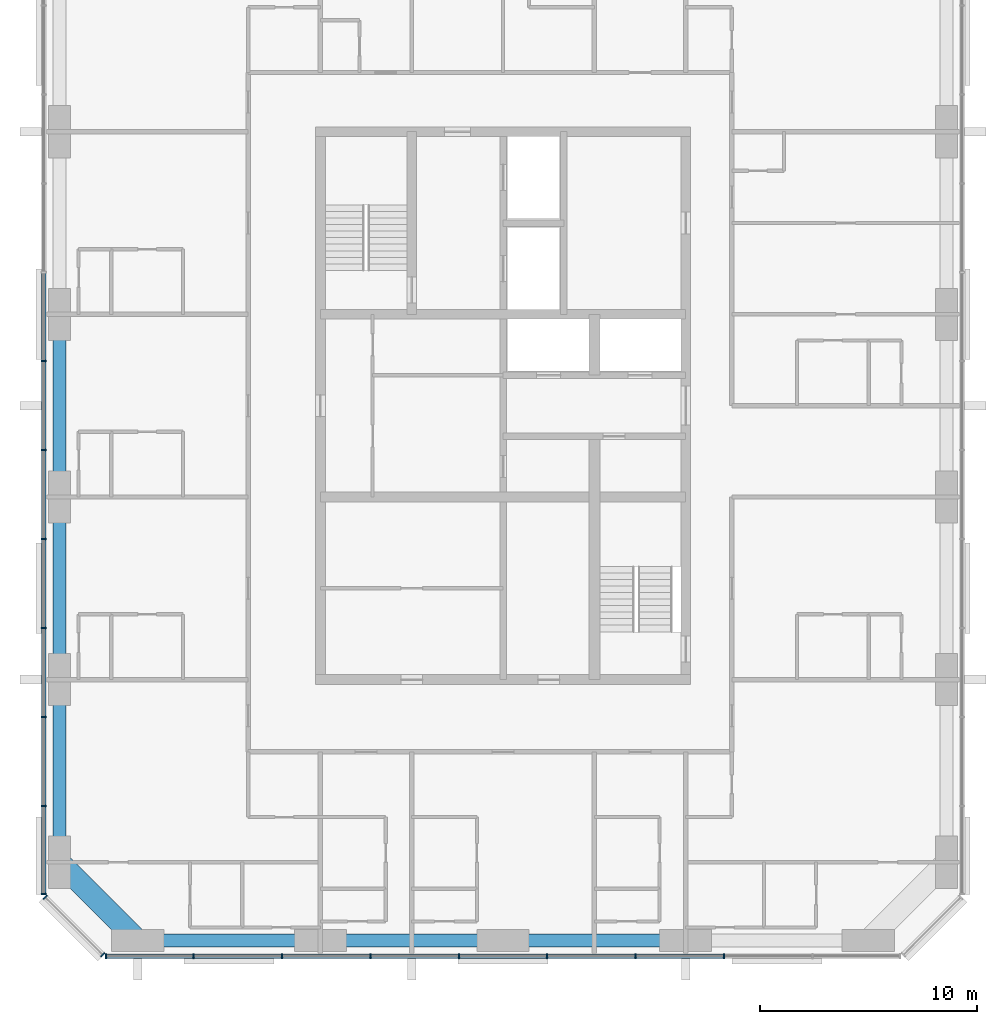
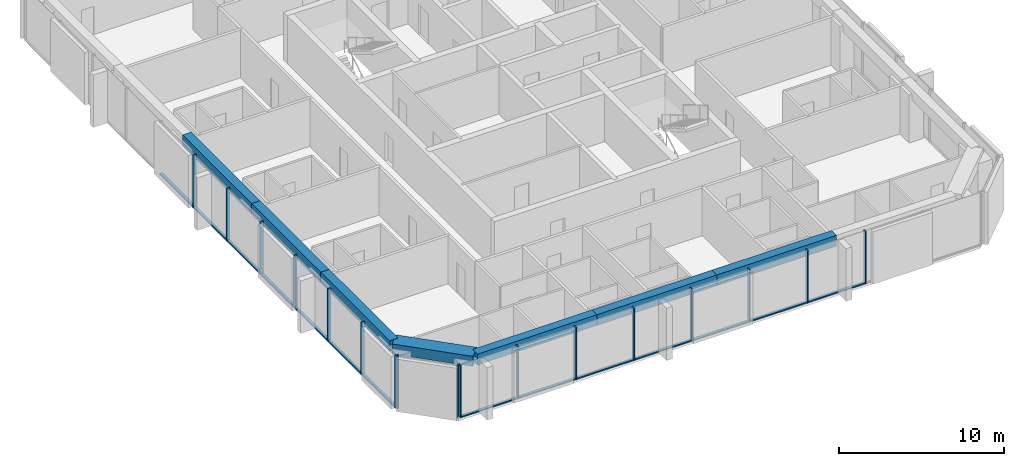
# One storey, part 2 of 12: 31 members, 7 beams, 3 elements without a shape of their own.
"""IFC4 building model written with IfcOpenShell, lengths in metres."""

from ifc_helpers import new_model, si_unit, direction, frame, origin, origin_2d, place, context, subcontext, project, spatial, rectangle, extrude, material, material_profile, profile_set, type_object, element, aggregate, save


model = new_model("IFC4")

# Units and contexts
model_context = context("Model", 3, precision=1e-05, world=origin(), true_north=direction((0.0, 1.0)))
body_context = subcontext(model_context, "Body", "Model", "MODEL_VIEW")
ifc_project = project(units=[si_unit("LENGTHUNIT", "METRE"), si_unit("AREAUNIT", "SQUARE_METRE"), si_unit("VOLUMEUNIT", "CUBIC_METRE"), si_unit("PLANEANGLEUNIT", "RADIAN"), si_unit("MASSUNIT", "GRAM", prefix="KILO")], contexts=[model_context])

# Site, building, storey
site_placement = place(None, origin())
site = spatial("IfcSite", under=ifc_project, at=site_placement, CompositionType="ELEMENT")
building_placement = place(site_placement, origin())
building = spatial("IfcBuilding", under=site, at=building_placement, Name="Dunama Terrace Hotel", CompositionType="ELEMENT")
storey_placement = place(building_placement, frame((0.0, 0.0, 245.10009765625)))
storey = spatial("IfcBuildingStorey", under=building, at=storey_placement, Name="L63", CompositionType="ELEMENT", Elevation=245.10009765625)

# Curtain wall, members
ifc_material_1 = material(Name="Aluminium curtain wall system", Category="aluminium")
curtain_wall_type = type_object("IfcCurtainWallType", Name="Unitised fritted glass wall CW-D", PredefinedType="NOTDEFINED", material=ifc_material_1)
curtain_wall_1_placement = place(storey_placement, origin())
curtain_wall_1 = element("IfcCurtainWall", 1, at=curtain_wall_1_placement, inside=storey, type_object=curtain_wall_type, Name="Unitised fritted glass wall CW-D L63", PredefinedType="NOTDEFINED")
ifc_material_2 = material(Name="Aluminium mullion", Category="aluminium")
ifc_material_profile_1 = material_profile(ifc_material_2, rectangle(XDim=0.070068359375, YDim=0.239990234375, at=origin_2d()), Name="CWD MULLION 70X240")
ifc_profile_set_1 = profile_set([ifc_material_profile_1], Name="Aluminium mullion")
member_type_1 = type_object("IfcMemberType", Name="CWD mullion 70x240", PredefinedType="MULLION", material=ifc_profile_set_1)
member_1_placement = place(storey_placement, frame((15.3349609375, 4.080078125, 0.0), z_axis=(0.0, 0.0, 1.0), x_axis=(1.0, 0.0, 0.0)))
member_1 = element("IfcMember", 2, at=member_1_placement, type_object=member_type_1, Name="CWD mullion", PredefinedType="MULLION", context=body_context, shape_type="SweptSolid", body=[
    extrude(rectangle(XDim=0.070068359375, YDim=0.239990234375, at=origin_2d()), origin(), (0.0, 0.0, 1.0), 3.89990234375),
])
member_2_placement = place(storey_placement, frame((19.366943359375, 4.080078125, 0.0), z_axis=(0.0, 0.0, 1.0), x_axis=(1.0, 0.0, 0.0)))
member_2 = element("IfcMember", 3, at=member_2_placement, type_object=member_type_1, Name="CWD mullion", PredefinedType="MULLION", context=body_context, shape_type="SweptSolid", body=[
    extrude(rectangle(XDim=0.070068359375, YDim=0.239990234375, at=origin_2d()), origin(), (0.0, 0.0, 1.0), 3.89990234375),
])
member_3_placement = place(storey_placement, frame((23.43310546875, 4.080078125, 0.0), z_axis=(0.0, 0.0, 1.0), x_axis=(1.0, 0.0, 0.0)))
member_3 = element("IfcMember", 4, at=member_3_placement, type_object=member_type_1, Name="CWD mullion", PredefinedType="MULLION", context=body_context, shape_type="SweptSolid", body=[
    extrude(rectangle(XDim=0.070068359375, YDim=0.239990234375, at=origin_2d()), origin(), (0.0, 0.0, 1.0), 3.89990234375),
])
member_4_placement = place(storey_placement, frame((27.5, 4.080078125, 0.0), z_axis=(0.0, 0.0, 1.0), x_axis=(1.0, 0.0, 0.0)))
member_4 = element("IfcMember", 5, at=member_4_placement, type_object=member_type_1, Name="CWD mullion", PredefinedType="MULLION", context=body_context, shape_type="SweptSolid", body=[
    extrude(rectangle(XDim=0.070068359375, YDim=0.239990234375, at=origin_2d()), origin(), (0.0, 0.0, 1.0), 3.89990234375),
])
member_5_placement = place(storey_placement, frame((31.56689453125, 4.080078125, 0.0), z_axis=(0.0, 0.0, 1.0), x_axis=(1.0, 0.0, 0.0)))
member_5 = element("IfcMember", 6, at=member_5_placement, type_object=member_type_1, Name="CWD mullion", PredefinedType="MULLION", context=body_context, shape_type="SweptSolid", body=[
    extrude(rectangle(XDim=0.070068359375, YDim=0.239990234375, at=origin_2d()), origin(), (0.0, 0.0, 1.0), 3.89990234375),
])
member_6_placement = place(storey_placement, frame((35.633056640625, 4.080078125, 0.0), z_axis=(0.0, 0.0, 1.0), x_axis=(1.0, 0.0, 0.0)))
member_6 = element("IfcMember", 7, at=member_6_placement, type_object=member_type_1, Name="CWD mullion", PredefinedType="MULLION", context=body_context, shape_type="SweptSolid", body=[
    extrude(rectangle(XDim=0.070068359375, YDim=0.239990234375, at=origin_2d()), origin(), (0.0, 0.0, 1.0), 3.89990234375),
])
member_7_placement = place(storey_placement, frame((39.699951171875, 4.080078125, 0.0), z_axis=(0.0, 0.0, 1.0), x_axis=(1.0, 0.0, 0.0)))
member_7 = element("IfcMember", 8, at=member_7_placement, type_object=member_type_1, Name="CWD mullion", PredefinedType="MULLION", context=body_context, shape_type="SweptSolid", body=[
    extrude(rectangle(XDim=0.070068359375, YDim=0.239990234375, at=origin_2d()), origin(), (0.0, 0.0, 1.0), 3.89990234375),
])
member_8_placement = place(storey_placement, frame((43.76708984375, 4.080078125, 0.0), z_axis=(0.0, 0.0, 1.0), x_axis=(1.0, 0.0, 0.0)))
member_8 = element("IfcMember", 9, at=member_8_placement, type_object=member_type_1, Name="CWD mullion", PredefinedType="MULLION", context=body_context, shape_type="SweptSolid", body=[
    extrude(rectangle(XDim=0.070068359375, YDim=0.239990234375, at=origin_2d()), origin(), (0.0, 0.0, 1.0), 3.89990234375),
])

curtain_wall_2_placement = place(storey_placement, origin())
curtain_wall_2 = element("IfcCurtainWall", 10, at=curtain_wall_2_placement, inside=storey, type_object=curtain_wall_type, Name="Unitised fritted glass wall CW-D L63", PredefinedType="NOTDEFINED")
member_9_placement = place(storey_placement, frame((12.47998046875, 31.445068359375, 0.0), z_axis=(0.0, 0.0, 1.0), x_axis=(0.0, -1.0, 0.0)))
member_9 = element("IfcMember", 11, at=member_9_placement, type_object=member_type_1, Name="CWD mullion", PredefinedType="MULLION", context=body_context, shape_type="SweptSolid", body=[
    extrude(rectangle(XDim=0.070068359375, YDim=0.239990234375, at=origin_2d()), origin(), (0.0, 0.0, 1.0), 3.89990234375),
])
member_10_placement = place(storey_placement, frame((12.47998046875, 27.35498046875, 0.0), z_axis=(0.0, 0.0, 1.0), x_axis=(0.0, -1.0, 0.0)))
member_10 = element("IfcMember", 12, at=member_10_placement, type_object=member_type_1, Name="CWD mullion", PredefinedType="MULLION", context=body_context, shape_type="SweptSolid", body=[
    extrude(rectangle(XDim=0.070068359375, YDim=0.239990234375, at=origin_2d()), origin(), (0.0, 0.0, 1.0), 3.89990234375),
])
member_11_placement = place(storey_placement, frame((12.47998046875, 23.263916015625, 0.0), z_axis=(0.0, 0.0, 1.0), x_axis=(0.0, -1.0, 0.0)))
member_11 = element("IfcMember", 13, at=member_11_placement, type_object=member_type_1, Name="CWD mullion", PredefinedType="MULLION", context=body_context, shape_type="SweptSolid", body=[
    extrude(rectangle(XDim=0.070068359375, YDim=0.239990234375, at=origin_2d()), origin(), (0.0, 0.0, 1.0), 3.89990234375),
])
member_12_placement = place(storey_placement, frame((12.47998046875, 19.173095703125, 0.0), z_axis=(0.0, 0.0, 1.0), x_axis=(0.0, -1.0, 0.0)))
member_12 = element("IfcMember", 14, at=member_12_placement, type_object=member_type_1, Name="CWD mullion", PredefinedType="MULLION", context=body_context, shape_type="SweptSolid", body=[
    extrude(rectangle(XDim=0.070068359375, YDim=0.239990234375, at=origin_2d()), origin(), (0.0, 0.0, 1.0), 3.89990234375),
])
member_13_placement = place(storey_placement, frame((12.47998046875, 15.08203125, 0.0), z_axis=(0.0, 0.0, 1.0), x_axis=(0.0, -1.0, 0.0)))
member_13 = element("IfcMember", 15, at=member_13_placement, type_object=member_type_1, Name="CWD mullion", PredefinedType="MULLION", context=body_context, shape_type="SweptSolid", body=[
    extrude(rectangle(XDim=0.070068359375, YDim=0.239990234375, at=origin_2d()), origin(), (0.0, 0.0, 1.0), 3.89990234375),
])
member_14_placement = place(storey_placement, frame((12.47998046875, 10.990966796875, 0.0), z_axis=(0.0, 0.0, 1.0), x_axis=(0.0, -1.0, 0.0)))
member_14 = element("IfcMember", 16, at=member_14_placement, type_object=member_type_1, Name="CWD mullion", PredefinedType="MULLION", context=body_context, shape_type="SweptSolid", body=[
    extrude(rectangle(XDim=0.070068359375, YDim=0.239990234375, at=origin_2d()), origin(), (0.0, 0.0, 1.0), 3.89990234375),
])
member_15_placement = place(storey_placement, frame((12.47998046875, 6.93505859375, 0.0), z_axis=(0.0, 0.0, 1.0), x_axis=(0.0, -1.0, 0.0)))
member_15 = element("IfcMember", 17, at=member_15_placement, type_object=member_type_1, Name="CWD mullion", PredefinedType="MULLION", context=body_context, shape_type="SweptSolid", body=[
    extrude(rectangle(XDim=0.070068359375, YDim=0.239990234375, at=origin_2d()), origin(), (0.0, 0.0, 1.0), 3.89990234375),
])

curtain_wall_3_placement = place(storey_placement, origin())
curtain_wall_3 = element("IfcCurtainWall", 18, at=curtain_wall_3_placement, inside=storey, type_object=curtain_wall_type, Name="Unitised fritted glass wall CW-D L63", PredefinedType="NOTDEFINED")
member_16_placement = place(storey_placement, frame((12.5400390625, 6.7900390625, 0.0), z_axis=(0.0, 0.0, 1.0), x_axis=(0.707106781187, -0.707106781187, 0.0)))
member_16 = element("IfcMember", 19, at=member_16_placement, type_object=member_type_1, Name="CWD mullion", PredefinedType="MULLION", context=body_context, shape_type="SweptSolid", body=[
    extrude(rectangle(XDim=0.070068359375, YDim=0.239990234375, at=origin_2d()), origin(), (0.0, 0.0, 1.0), 3.89990234375),
])
member_17_placement = place(storey_placement, frame((15.18994140625, 4.139892578125, 0.0), z_axis=(0.0, 0.0, 1.0), x_axis=(0.707106781187, -0.707106781187, 0.0)))
member_17 = element("IfcMember", 20, at=member_17_placement, type_object=member_type_1, Name="CWD mullion", PredefinedType="MULLION", context=body_context, shape_type="SweptSolid", body=[
    extrude(rectangle(XDim=0.070068359375, YDim=0.239990234375, at=origin_2d()), origin(), (0.0, 0.0, 1.0), 3.89990234375),
])
aggregate(curtain_wall_3, [member_16, member_17])

# Member
ifc_material_3 = material(Name="Aluminium transom", Category="aluminium")
ifc_material_profile_2 = material_profile(ifc_material_3, rectangle(XDim=0.199951171875, YDim=0.0849609375, at=origin_2d()), Name="CWD TRANSOM 200X85")
ifc_profile_set_2 = profile_set([ifc_material_profile_2], Name="Aluminium transom")
member_type_2 = type_object("IfcMemberType", Name="CWD transom 200x85", PredefinedType="USERDEFINED", material=ifc_profile_set_2)
member_18_placement = place(storey_placement, frame((15.3701171875, 4.080078125, 0.04248046875), z_axis=(1.0, 0.0, 0.0), x_axis=(0.0, 1.0, 0.0)))
member_18 = element("IfcMember", 21, at=member_18_placement, type_object=member_type_2, Name="CWD transom", ObjectType="TRANSOM", PredefinedType="USERDEFINED", context=body_context, shape_type="SweptSolid", body=[
    extrude(rectangle(XDim=0.199951171875, YDim=0.0849609375, at=origin_2d()), origin(), (0.0, 0.0, 1.0), 3.9619140625),
])

member_19_placement = place(storey_placement, frame((19.402099609375, 4.080078125, 0.04248046875), z_axis=(1.0, 0.0, 0.0), x_axis=(0.0, 1.0, 0.0)))
member_19 = element("IfcMember", 22, at=member_19_placement, type_object=member_type_2, Name="CWD transom", ObjectType="TRANSOM", PredefinedType="USERDEFINED", context=body_context, shape_type="SweptSolid", body=[
    extrude(rectangle(XDim=0.199951171875, YDim=0.0849609375, at=origin_2d()), origin(), (0.0, 0.0, 1.0), 3.995849609375),
])

member_20_placement = place(storey_placement, frame((23.468017578125, 4.080078125, 0.04248046875), z_axis=(1.0, 0.0, 0.0), x_axis=(0.0, 1.0, 0.0)))
member_20 = element("IfcMember", 23, at=member_20_placement, type_object=member_type_2, Name="CWD transom", ObjectType="TRANSOM", PredefinedType="USERDEFINED", context=body_context, shape_type="SweptSolid", body=[
    extrude(rectangle(XDim=0.199951171875, YDim=0.0849609375, at=origin_2d()), origin(), (0.0, 0.0, 1.0), 3.9970703125),
])

member_21_placement = place(storey_placement, frame((27.534912109375, 4.080078125, 0.04248046875), z_axis=(1.0, 0.0, 0.0), x_axis=(0.0, 1.0, 0.0)))
member_21 = element("IfcMember", 24, at=member_21_placement, type_object=member_type_2, Name="CWD transom", ObjectType="TRANSOM", PredefinedType="USERDEFINED", context=body_context, shape_type="SweptSolid", body=[
    extrude(rectangle(XDim=0.199951171875, YDim=0.0849609375, at=origin_2d()), origin(), (0.0, 0.0, 1.0), 3.9970703125),
])

member_22_placement = place(storey_placement, frame((31.60205078125, 4.080078125, 0.04248046875), z_axis=(1.0, 0.0, 0.0), x_axis=(0.0, 1.0, 0.0)))
member_22 = element("IfcMember", 25, at=member_22_placement, type_object=member_type_2, Name="CWD transom", ObjectType="TRANSOM", PredefinedType="USERDEFINED", context=body_context, shape_type="SweptSolid", body=[
    extrude(rectangle(XDim=0.199951171875, YDim=0.0849609375, at=origin_2d()), origin(), (0.0, 0.0, 1.0), 3.995849609375),
])

member_23_placement = place(storey_placement, frame((35.66796875, 4.080078125, 0.04248046875), z_axis=(1.0, 0.0, 0.0), x_axis=(0.0, 1.0, 0.0)))
member_23 = element("IfcMember", 26, at=member_23_placement, type_object=member_type_2, Name="CWD transom", ObjectType="TRANSOM", PredefinedType="USERDEFINED", context=body_context, shape_type="SweptSolid", body=[
    extrude(rectangle(XDim=0.199951171875, YDim=0.0849609375, at=origin_2d()), origin(), (0.0, 0.0, 1.0), 3.9970703125),
])

member_24_placement = place(storey_placement, frame((39.735107421875, 4.080078125, 0.04248046875), z_axis=(1.0, 0.0, 0.0), x_axis=(0.0, 1.0, 0.0)))
member_24 = element("IfcMember", 27, at=member_24_placement, type_object=member_type_2, Name="CWD transom", ObjectType="TRANSOM", PredefinedType="USERDEFINED", context=body_context, shape_type="SweptSolid", body=[
    extrude(rectangle(XDim=0.199951171875, YDim=0.0849609375, at=origin_2d()), origin(), (0.0, 0.0, 1.0), 3.996826171875),
])

aggregate(curtain_wall_1, [member_1, member_2, member_3, member_4, member_5, member_6, member_7, member_8, member_18, member_19, member_20, member_21, member_22, member_23, member_24])

member_25_placement = place(storey_placement, frame((12.47998046875, 35.5009765625, 0.04248046875), z_axis=(0.0, -1.0, 0.0), x_axis=(1.0, 0.0, 0.0)))
member_25 = element("IfcMember", 28, at=member_25_placement, type_object=member_type_2, Name="CWD transom", ObjectType="TRANSOM", PredefinedType="USERDEFINED", context=body_context, shape_type="SweptSolid", body=[
    extrude(rectangle(XDim=0.199951171875, YDim=0.0849609375, at=origin_2d()), origin(), (0.0, 0.0, 1.0), 4.02099609375),
])

member_26_placement = place(storey_placement, frame((12.47998046875, 31.409912109375, 0.04248046875), z_axis=(0.0, -1.0, 0.0), x_axis=(1.0, 0.0, 0.0)))
member_26 = element("IfcMember", 29, at=member_26_placement, type_object=member_type_2, Name="CWD transom", ObjectType="TRANSOM", PredefinedType="USERDEFINED", context=body_context, shape_type="SweptSolid", body=[
    extrude(rectangle(XDim=0.199951171875, YDim=0.0849609375, at=origin_2d()), origin(), (0.0, 0.0, 1.0), 4.02001953125),
])

member_27_placement = place(storey_placement, frame((12.47998046875, 27.320068359375, 0.04248046875), z_axis=(0.0, -1.0, 0.0), x_axis=(1.0, 0.0, 0.0)))
member_27 = element("IfcMember", 30, at=member_27_placement, type_object=member_type_2, Name="CWD transom", ObjectType="TRANSOM", PredefinedType="USERDEFINED", context=body_context, shape_type="SweptSolid", body=[
    extrude(rectangle(XDim=0.199951171875, YDim=0.0849609375, at=origin_2d()), origin(), (0.0, 0.0, 1.0), 4.02099609375),
])

member_28_placement = place(storey_placement, frame((12.47998046875, 23.22900390625, 0.04248046875), z_axis=(0.0, -1.0, 0.0), x_axis=(1.0, 0.0, 0.0)))
member_28 = element("IfcMember", 31, at=member_28_placement, type_object=member_type_2, Name="CWD transom", ObjectType="TRANSOM", PredefinedType="USERDEFINED", context=body_context, shape_type="SweptSolid", body=[
    extrude(rectangle(XDim=0.199951171875, YDim=0.0849609375, at=origin_2d()), origin(), (0.0, 0.0, 1.0), 4.02099609375),
])

member_29_placement = place(storey_placement, frame((12.47998046875, 19.137939453125, 0.04248046875), z_axis=(0.0, -1.0, 0.0), x_axis=(1.0, 0.0, 0.0)))
member_29 = element("IfcMember", 32, at=member_29_placement, type_object=member_type_2, Name="CWD transom", ObjectType="TRANSOM", PredefinedType="USERDEFINED", context=body_context, shape_type="SweptSolid", body=[
    extrude(rectangle(XDim=0.199951171875, YDim=0.0849609375, at=origin_2d()), origin(), (0.0, 0.0, 1.0), 4.02099609375),
])

member_30_placement = place(storey_placement, frame((12.47998046875, 15.047119140625, 0.04248046875), z_axis=(0.0, -1.0, 0.0), x_axis=(1.0, 0.0, 0.0)))
member_30 = element("IfcMember", 33, at=member_30_placement, type_object=member_type_2, Name="CWD transom", ObjectType="TRANSOM", PredefinedType="USERDEFINED", context=body_context, shape_type="SweptSolid", body=[
    extrude(rectangle(XDim=0.199951171875, YDim=0.0849609375, at=origin_2d()), origin(), (0.0, 0.0, 1.0), 4.021240234375),
])

member_31_placement = place(storey_placement, frame((12.47998046875, 10.9560546875, 0.04248046875), z_axis=(0.0, -1.0, 0.0), x_axis=(1.0, 0.0, 0.0)))
member_31 = element("IfcMember", 34, at=member_31_placement, type_object=member_type_2, Name="CWD transom", ObjectType="TRANSOM", PredefinedType="USERDEFINED", context=body_context, shape_type="SweptSolid", body=[
    extrude(rectangle(XDim=0.199951171875, YDim=0.0849609375, at=origin_2d()), origin(), (0.0, 0.0, 1.0), 3.986083984375),
])

aggregate(curtain_wall_2, [member_9, member_10, member_11, member_12, member_13, member_14, member_15, member_25, member_26, member_27, member_28, member_29, member_30, member_31])

# Beams
ifc_material_4 = material(Name="Concrete C50/60", Category="concrete")
ifc_material_profile_3 = material_profile(ifc_material_4, rectangle(XDim=1.0, YDim=0.75, at=origin_2d()), Name="RC 1000x750")
ifc_profile_set_3 = profile_set([ifc_material_profile_3], Name="Concrete C50/60")
beam_type_1 = type_object("IfcBeamType", Name="Edge beam RC 1000x750", PredefinedType="SPANDREL", material=ifc_profile_set_3)
beam_1_placement = place(storey_placement, frame((16.800048828125, 4.800048828125, 3.52490234375), z_axis=(-0.707130757816, 0.707082803744, 0.0), x_axis=(-0.707082803744, -0.707130757816, 0.0)))
element("IfcBeam", 35, at=beam_1_placement, inside=storey, type_object=beam_type_1, Name="Corner edge beam under L64", PredefinedType="SPANDREL", context=body_context, shape_type="SweptSolid", body=[
    extrude(rectangle(XDim=1.0, YDim=0.75, at=origin_2d()), origin(), (0.0, 0.0, 1.0), 5.091064453125),
])
ifc_material_5 = material(Name="Concrete C40/50", Category="concrete")
ifc_material_profile_4 = material_profile(ifc_material_5, rectangle(XDim=0.60009765625, YDim=0.800048828125, at=origin_2d()), Name="RC 600x800")
ifc_profile_set_4 = profile_set([ifc_material_profile_4], Name="Concrete C40/50")
beam_type_2 = type_object("IfcBeamType", Name="Edge beam RC 600x800", PredefinedType="SPANDREL", material=ifc_profile_set_4)
beam_2_placement = place(storey_placement, frame((13.199951171875, 8.39990234375, 3.5), z_axis=(0.0, 1.0, 0.0), x_axis=(-1.0, 0.0, 0.0)))
element("IfcBeam", 36, at=beam_2_placement, inside=storey, type_object=beam_type_2, Name="Edge beam under L64", PredefinedType="SPANDREL", context=body_context, shape_type="SweptSolid", body=[
    extrude(rectangle(XDim=0.60009765625, YDim=0.800048828125, at=origin_2d()), origin(), (0.0, 0.0, 1.0), 8.400146484375),
])
beam_3_placement = place(storey_placement, frame((13.199951171875, 16.800048828125, 3.5), z_axis=(0.0, 1.0, 0.0), x_axis=(-1.0, 0.0, 0.0)))
element("IfcBeam", 37, at=beam_3_placement, inside=storey, type_object=beam_type_2, Name="Edge beam under L64", PredefinedType="SPANDREL", context=body_context, shape_type="SweptSolid", body=[
    extrude(rectangle(XDim=0.60009765625, YDim=0.800048828125, at=origin_2d()), origin(), (0.0, 0.0, 1.0), 8.39990234375),
])
beam_4_placement = place(storey_placement, frame((13.199951171875, 25.199951171875, 3.5), z_axis=(0.0, 1.0, 0.0), x_axis=(-1.0, 0.0, 0.0)))
element("IfcBeam", 38, at=beam_4_placement, inside=storey, type_object=beam_type_2, Name="Edge beam under L64", PredefinedType="SPANDREL", context=body_context, shape_type="SweptSolid", body=[
    extrude(rectangle(XDim=0.60009765625, YDim=0.800048828125, at=origin_2d()), origin(), (0.0, 0.0, 1.0), 8.400146484375),
])
beam_5_placement = place(storey_placement, frame((16.800048828125, 4.800048828125, 3.5), z_axis=(1.0, 0.0, 0.0), x_axis=(0.0, 1.0, 0.0)))
element("IfcBeam", 39, at=beam_5_placement, inside=storey, type_object=beam_type_2, Name="Edge beam under L64", PredefinedType="SPANDREL", context=body_context, shape_type="SweptSolid", body=[
    extrude(rectangle(XDim=0.60009765625, YDim=0.800048828125, at=origin_2d()), origin(), (0.0, 0.0, 1.0), 8.39990234375),
])
beam_6_placement = place(storey_placement, frame((25.199951171875, 4.800048828125, 3.5), z_axis=(1.0, 0.0, 0.0), x_axis=(0.0, 1.0, 0.0)))
element("IfcBeam", 40, at=beam_6_placement, inside=storey, type_object=beam_type_2, Name="Edge beam under L64", PredefinedType="SPANDREL", context=body_context, shape_type="SweptSolid", body=[
    extrude(rectangle(XDim=0.60009765625, YDim=0.800048828125, at=origin_2d()), origin(), (0.0, 0.0, 1.0), 8.400146484375),
])
beam_7_placement = place(storey_placement, frame((33.60009765625, 4.800048828125, 3.5), z_axis=(1.0, 0.0, 0.0), x_axis=(0.0, 1.0, 0.0)))
element("IfcBeam", 41, at=beam_7_placement, inside=storey, type_object=beam_type_2, Name="Edge beam under L64", PredefinedType="SPANDREL", context=body_context, shape_type="SweptSolid", body=[
    extrude(rectangle(XDim=0.60009765625, YDim=0.800048828125, at=origin_2d()), origin(), (0.0, 0.0, 1.0), 8.39990234375),
])

save(model, "model.ifc")
